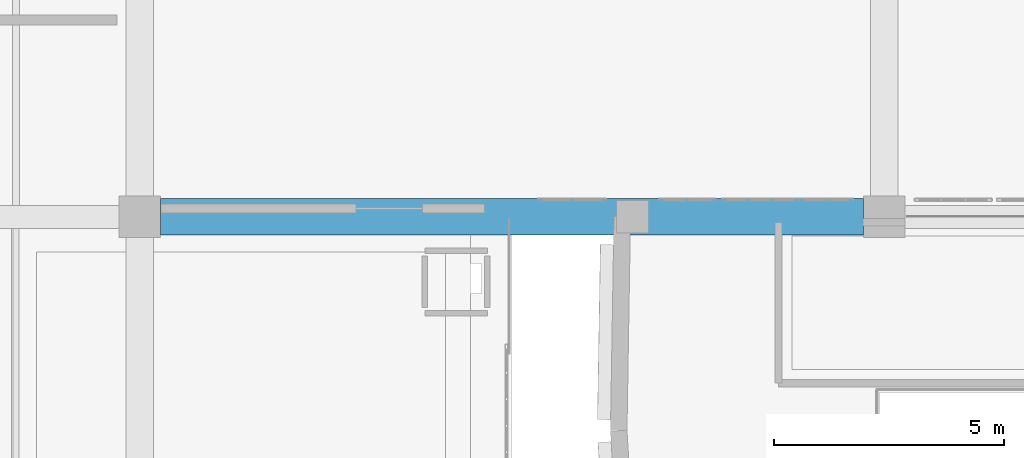
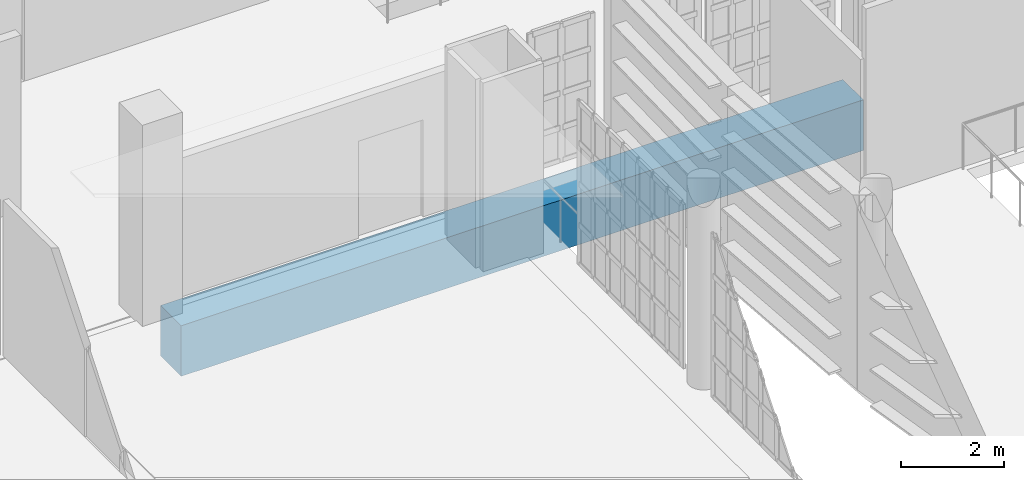
# One storey, part 36 of 104: 1 beam.
"""IFC4 building model written with IfcOpenShell, lengths in metres."""

from ifc_helpers import new_model, si_unit, direction, frame, origin, origin_2d, place, context, subcontext, project, spatial, rectangle, extrude, material, material_profile, profile_set, type_object, element, save


model = new_model("IFC4")

# Units and contexts
model_context = context("Model", 3, precision=1e-05, world=origin(), true_north=direction((0.0, 1.0)))
body_context = subcontext(model_context, "Body", "Model", "MODEL_VIEW")
ifc_project = project(units=[si_unit("LENGTHUNIT", "METRE"), si_unit("AREAUNIT", "SQUARE_METRE"), si_unit("VOLUMEUNIT", "CUBIC_METRE"), si_unit("PLANEANGLEUNIT", "RADIAN"), si_unit("MASSUNIT", "GRAM", prefix="KILO")], contexts=[model_context])

# Site, building, storey
site_placement = place(None, origin())
site = spatial("IfcSite", under=ifc_project, at=site_placement, CompositionType="ELEMENT")
building_placement = place(site_placement, origin())
building = spatial("IfcBuilding", under=site, at=building_placement, Name="Kaelora Sail Theatre", CompositionType="ELEMENT")
storey_placement = place(building_placement, frame((0.0, 0.0, 5.39990234375)))
storey = spatial("IfcBuildingStorey", under=building, at=storey_placement, Name="L01", CompositionType="ELEMENT", Elevation=5.39990234375)

# Beam
ifc_material = material(Name="Concrete C50/60", Category="concrete")
ifc_material_profile = material_profile(ifc_material, rectangle(XDim=0.800048828125, YDim=1.199951171875, at=origin_2d()), Name="RC-SRB 800x1200")
ifc_profile_set = profile_set([ifc_material_profile], Name="Concrete C50/60")
beam_type = type_object("IfcBeamType", Name="STR-BM-SRB-8012", PredefinedType="T_BEAM", material=ifc_profile_set)
beam_placement = place(storey_placement, frame((66.75, 61.02001953125, -0.89501953125), z_axis=(1.0, 0.0, 0.0), x_axis=(0.0, 1.0, 0.0)))
element("IfcBeam", 1, at=beam_placement, inside=storey, type_object=beam_type, Name="Grand Foyer clear-span girder L01-I", PredefinedType="T_BEAM", context=body_context, shape_type="SweptSolid", body=[
    extrude(rectangle(XDim=0.800048828125, YDim=1.199951171875, at=origin_2d()), origin(), (0.0, 0.0, 1.0), 15.300048828125),
])

save(model, "model.ifc")
